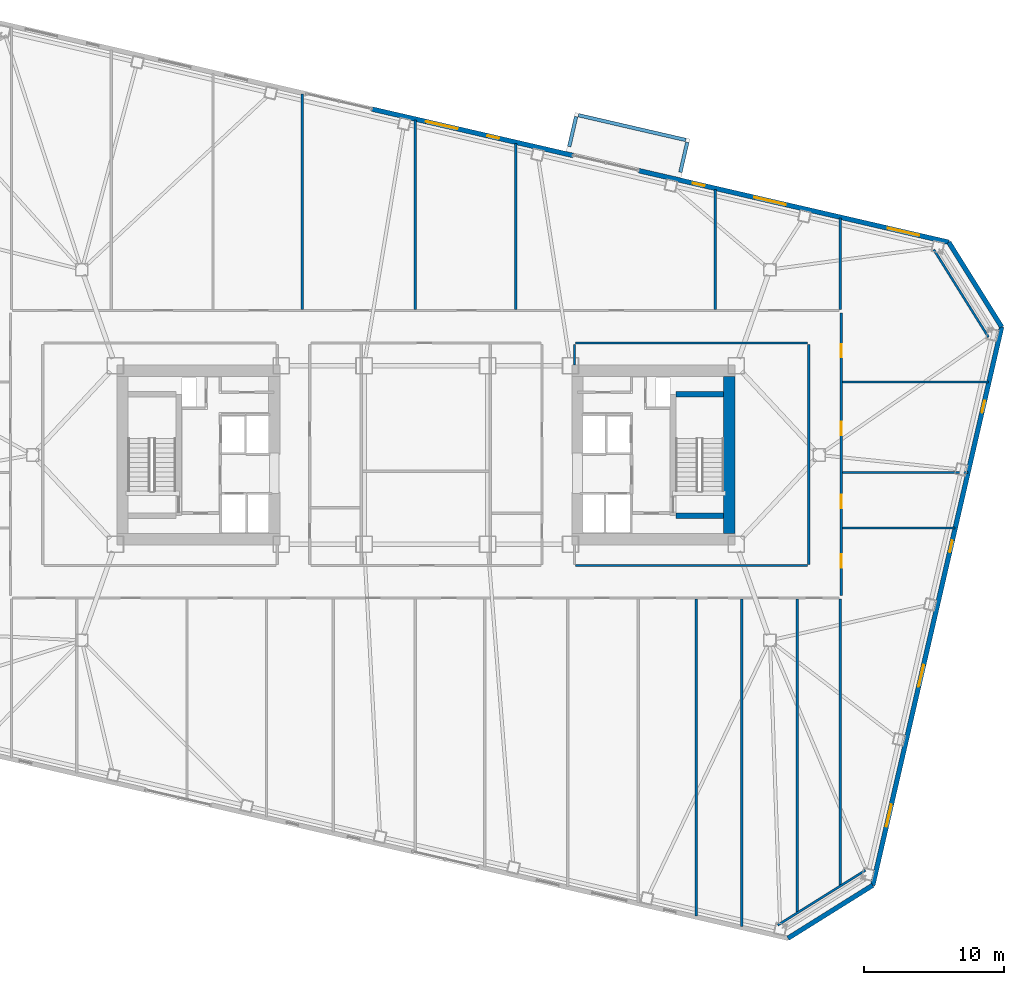
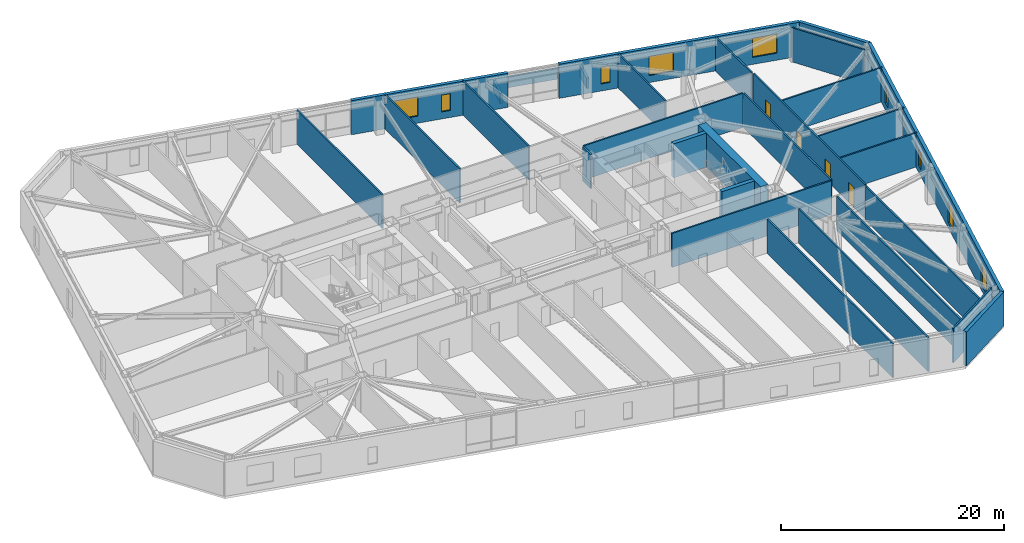
# One storey, part 13 of 19: 30 walls, 9 windows, 4 doors, 13 openings.
"""IFC4 building model written with IfcOpenShell, lengths in metres."""

from ifc_helpers import new_model, si_unit, direction, frame, frame_2d, origin, place, context, subcontext, project, spatial, rectangle, extrude, material, layer, layer_set, type_object, element, fill, save


model = new_model("IFC4")

# Units and contexts
model_context = context("Model", 3, precision=1e-05, world=origin(), true_north=direction((0.0, 1.0)))
body_context = subcontext(model_context, "Body", "Model", "MODEL_VIEW")
ifc_project = project(units=[si_unit("LENGTHUNIT", "METRE"), si_unit("AREAUNIT", "SQUARE_METRE"), si_unit("VOLUMEUNIT", "CUBIC_METRE"), si_unit("PLANEANGLEUNIT", "RADIAN"), si_unit("MASSUNIT", "GRAM", prefix="KILO")], contexts=[model_context])

# Site, building, storey
site_placement = place(None, origin())
site = spatial("IfcSite", under=ifc_project, at=site_placement, CompositionType="ELEMENT")
building_placement = place(site_placement, origin())
building = spatial("IfcBuilding", under=site, at=building_placement, Name="Tavrogorsk Clinical Tower", CompositionType="ELEMENT")
storey_placement = place(building_placement, frame((0.0, 0.0, 75.39990234375)))
storey = spatial("IfcBuildingStorey", under=building, at=storey_placement, Name="L16", CompositionType="ELEMENT", Elevation=75.39990234375)

# Walls
ifc_material_1 = material(Name="Lightweight concrete blockwork B15", Category="masonry")
ifc_layer_1 = layer(ifc_material_1, 0.159912109375)
ifc_layer_set_1 = layer_set([ifc_layer_1], Name="Lightweight concrete blockwork B15")
wall_type_1 = type_object("IfcWallType", Name="PartitionWall_160", PredefinedType="PARTITIONING", material=ifc_layer_set_1)
for number, where, z_axis, x_axis, name in (
    (1, (25.0595703125, -33.46826171875, 0.0), (0.0, 0.0, 1.0), (0.848043064089, 0.529927317139, 0.0), "L16 Corner Exoskeleton Brace Furring Wall 1"),
    (2, (40.059814453125, 8.389404296875, 0.0), (0.0, 0.0, 1.0), (-0.529927317139, 0.848043064089, 0.0), "L16 Corner Exoskeleton Brace Furring Wall 2"),
):
    element("IfcWall", number, at=place(storey_placement, frame(where, z_axis=z_axis, x_axis=x_axis)), inside=storey, type_object=wall_type_1, Name=name, PredefinedType="PARTITIONING", context=body_context, shape_type="SweptSolid", body=[
        extrude(rectangle(XDim=7.353759765625, YDim=0.159912109375, at=frame_2d((3.6767578125, 0.0))), origin(), (0.0, 0.0, 1.0), 3.739990234375),
    ])

# Wall, openings, doors
wall_1_placement = place(storey_placement, frame((29.580078125, 10.114990234375, 0.0), z_axis=(0.0, 0.0, 1.0), x_axis=(0.0, -1.0, 0.0)))
wall_1 = element("IfcWall", 3, at=wall_1_placement, inside=storey, type_object=wall_type_1, Name="L16 Corridor Partition 03", PredefinedType="PARTITIONING", context=body_context, shape_type="SweptSolid", body=[
    extrude(rectangle(XDim=20.1298828125, YDim=0.159912109375, at=frame_2d((10.06494140625, 0.0))), origin(), (0.0, 0.0, 1.0), 3.739990234375),
])
opening_1_placement = place(wall_1_placement, frame((17.180908203125, 0.0, 0.0)))
opening_1 = element("IfcOpeningElement", 4, at=opening_1_placement, cuts=wall_1, Name="Opening ID-02", PredefinedType="OPENING", context=body_context, shape_type="SweptSolid", body=[
    extrude(rectangle(XDim=0.949951171875, YDim=2.199951171875, at=frame_2d((0.47509765625, 1.10009765625))), frame((0.0, 0.08984375, 0.0), z_axis=(0.0, -1.0, 0.0), x_axis=(1.0, 0.0, 0.0)), (0.0, 0.0, 1.0), 0.179931640625),
])
opening_2_placement = place(wall_1_placement, frame((12.949951171875, 0.0, 0.0)))
opening_2 = element("IfcOpeningElement", 5, at=opening_2_placement, cuts=wall_1, Name="Opening ID-02", PredefinedType="OPENING", context=body_context, shape_type="SweptSolid", body=[
    extrude(rectangle(XDim=0.949951171875, YDim=2.199951171875, at=frame_2d((0.47509765625, 1.10009765625))), frame((0.0, 0.08984375, 0.0), z_axis=(0.0, -1.0, 0.0), x_axis=(1.0, 0.0, 0.0)), (0.0, 0.0, 1.0), 0.179931640625),
])
opening_3_placement = place(wall_1_placement, frame((7.75, 0.0, 0.0)))
opening_3 = element("IfcOpeningElement", 6, at=opening_3_placement, cuts=wall_1, Name="Opening ID-02", PredefinedType="OPENING", context=body_context, shape_type="SweptSolid", body=[
    extrude(rectangle(XDim=0.949951171875, YDim=2.199951171875, at=frame_2d((0.47509765625, 1.10009765625))), frame((0.0, 0.08984375, 0.0), z_axis=(0.0, -1.0, 0.0), x_axis=(1.0, 0.0, 0.0)), (0.0, 0.0, 1.0), 0.179931640625),
])
opening_4_placement = place(wall_1_placement, frame((2.218994140625, 0.0, 0.0)))
opening_4 = element("IfcOpeningElement", 7, at=opening_4_placement, cuts=wall_1, Name="Opening ID-02", PredefinedType="OPENING", context=body_context, shape_type="SweptSolid", body=[
    extrude(rectangle(XDim=0.949951171875, YDim=2.199951171875, at=frame_2d((0.47509765625, 1.10009765625))), frame((0.0, 0.08984375, 0.0), z_axis=(0.0, -1.0, 0.0), x_axis=(1.0, 0.0, 0.0)), (0.0, 0.0, 1.0), 0.179931640625),
])
ifc_material_2 = material(Name="Laminated timber leaf on aluminium frame", Category="wood")
door_type = type_object("IfcDoorType", Name="InteriorDoor_ID02_950", OperationType="NOTDEFINED", PredefinedType="DOOR", material=ifc_material_2)
door_1_placement = place(opening_1_placement, origin())
door_1 = element("IfcDoor", 8, at=door_1_placement, inside=storey, type_object=door_type, Name="L16 E Senior Clinician Suite 1 Door", OperationType="SINGLE_SWING_RIGHT", OverallHeight=2.199951171875, OverallWidth=0.949951171875, PredefinedType="DOOR", context=body_context, shape_type="SweptSolid", body=[
    extrude(rectangle(XDim=0.949951171875, YDim=2.199951171875, at=frame_2d((0.47509765625, 1.10009765625))), frame((0.0, 0.02490234375, 0.0), z_axis=(0.0, -1.0, 0.0), x_axis=(1.0, 0.0, 0.0)), (0.0, 0.0, 1.0), 0.050048828125),
])
fill(opening_1, door_1)
door_2_placement = place(opening_2_placement, origin())
door_2 = element("IfcDoor", 9, at=door_2_placement, inside=storey, type_object=door_type, Name="L16 E Multidisciplinary Seminar Suite 2 Door", OperationType="SINGLE_SWING_LEFT", OverallHeight=2.199951171875, OverallWidth=0.949951171875, PredefinedType="DOOR", context=body_context, shape_type="SweptSolid", body=[
    extrude(rectangle(XDim=0.949951171875, YDim=2.199951171875, at=frame_2d((0.47509765625, 1.10009765625))), frame((0.0, 0.02490234375, 0.0), z_axis=(0.0, -1.0, 0.0), x_axis=(1.0, 0.0, 0.0)), (0.0, 0.0, 1.0), 0.050048828125),
])
fill(opening_2, door_2)
door_3_placement = place(opening_3_placement, origin())
door_3 = element("IfcDoor", 10, at=door_3_placement, inside=storey, type_object=door_type, Name="L16 E Specialist Consultation Room 3 Door", OperationType="SINGLE_SWING_RIGHT", OverallHeight=2.199951171875, OverallWidth=0.949951171875, PredefinedType="DOOR", context=body_context, shape_type="SweptSolid", body=[
    extrude(rectangle(XDim=0.949951171875, YDim=2.199951171875, at=frame_2d((0.47509765625, 1.10009765625))), frame((0.0, 0.02490234375, 0.0), z_axis=(0.0, -1.0, 0.0), x_axis=(1.0, 0.0, 0.0)), (0.0, 0.0, 1.0), 0.050048828125),
])
fill(opening_3, door_3)
door_4_placement = place(opening_4_placement, origin())
door_4 = element("IfcDoor", 11, at=door_4_placement, inside=storey, type_object=door_type, Name="L16 E Clinical Fellows' Study 4 Door", OperationType="SINGLE_SWING_LEFT", OverallHeight=2.199951171875, OverallWidth=0.949951171875, PredefinedType="DOOR", context=body_context, shape_type="SweptSolid", body=[
    extrude(rectangle(XDim=0.949951171875, YDim=2.199951171875, at=frame_2d((0.47509765625, 1.10009765625))), frame((0.0, 0.02490234375, 0.0), z_axis=(0.0, -1.0, 0.0), x_axis=(1.0, 0.0, 0.0)), (0.0, 0.0, 1.0), 0.050048828125),
])
fill(opening_4, door_4)

# Walls
wall_2_placement = place(storey_placement, frame((27.18505859375, 7.969970703125, 0.0), z_axis=(0.0, 0.0, 1.0), x_axis=(-1.0, 0.0, 0.0)))
element("IfcWall", 12, at=wall_2_placement, inside=storey, type_object=wall_type_1, Name="L16 Corridor Partition 05", PredefinedType="PARTITIONING", context=body_context, shape_type="SweptSolid", body=[
    extrude(rectangle(XDim=16.52001953125, YDim=0.159912109375, at=frame_2d((8.260009765625, 0.0))), origin(), (0.0, 0.0, 1.0), 3.739990234375),
])
wall_3_placement = place(storey_placement, frame((10.580078125, 7.885009765625, 0.0), z_axis=(0.0, 0.0, 1.0), x_axis=(0.0, -1.0, 0.0)))
element("IfcWall", 13, at=wall_3_placement, inside=storey, type_object=wall_type_1, Name="L16 Corridor Partition 06", PredefinedType="PARTITIONING", context=body_context, shape_type="SweptSolid", body=[
    extrude(rectangle(XDim=1.465087890625, YDim=0.159912109375, at=frame_2d((0.732421875, 0.0))), origin(), (0.0, 0.0, 1.0), 3.739990234375),
])
wall_4_placement = place(storey_placement, frame((10.6650390625, -7.8701171875, 0.0), z_axis=(0.0, 0.0, 1.0), x_axis=(1.0, 0.0, 0.0)))
element("IfcWall", 14, at=wall_4_placement, inside=storey, type_object=wall_type_1, Name="L16 Corridor Partition 08", PredefinedType="PARTITIONING", context=body_context, shape_type="SweptSolid", body=[
    extrude(rectangle(XDim=16.52001953125, YDim=0.159912109375, at=frame_2d((8.260009765625, 0.0))), origin(), (0.0, 0.0, 1.0), 3.739990234375),
])
wall_5_placement = place(storey_placement, frame((27.27001953125, -7.784912109375, 0.0), z_axis=(0.0, 0.0, 1.0), x_axis=(0.0, 1.0, 0.0)))
element("IfcWall", 15, at=wall_5_placement, inside=storey, type_object=wall_type_1, Name="L16 Corridor Partition 09", PredefinedType="PARTITIONING", context=body_context, shape_type="SweptSolid", body=[
    extrude(rectangle(XDim=15.669921875, YDim=0.159912109375, at=frame_2d((7.8349609375, 0.0))), origin(), (0.0, 0.0, 1.0), 3.739990234375),
])
wall_6_placement = place(storey_placement, frame((29.5, 10.364990234375, 0.0), z_axis=(0.0, 0.0, 1.0), x_axis=(0.0, 1.0, 0.0)))
element("IfcWall", 16, at=wall_6_placement, inside=storey, type_object=wall_type_1, Name="L16 NE Wing Closure Partition", PredefinedType="PARTITIONING", context=body_context, shape_type="SweptSolid", body=[
    extrude(rectangle(XDim=6.497314453125, YDim=0.159912109375, at=frame_2d((3.24853515625, 0.0))), origin(), (0.0, 0.0, 1.0), 3.739990234375),
])
wall_7_placement = place(storey_placement, frame((29.5, -30.702880859375, 0.0), z_axis=(0.0, 0.0, 1.0), x_axis=(0.0, 1.0, 0.0)))
element("IfcWall", 17, at=wall_7_placement, inside=storey, type_object=wall_type_1, Name="L16 SE Wing Closure Partition", PredefinedType="PARTITIONING", context=body_context, shape_type="SweptSolid", body=[
    extrude(rectangle(XDim=20.43798828125, YDim=0.159912109375, at=frame_2d((10.218994140625, 0.0))), origin(), (0.0, 0.0, 1.0), 3.739990234375),
])
wall_8_placement = place(storey_placement, frame((-8.800048828125, 10.364990234375, 0.0), z_axis=(0.0, 0.0, 1.0), x_axis=(0.0, 1.0, 0.0)))
element("IfcWall", 18, at=wall_8_placement, inside=storey, type_object=wall_type_1, Name="L16 North Room Partition 2", PredefinedType="PARTITIONING", context=body_context, shape_type="SweptSolid", body=[
    extrude(rectangle(XDim=15.339599609375, YDim=0.159912109375, at=frame_2d((7.669921875, 0.0))), origin(), (0.0, 0.0, 1.0), 3.739990234375),
])
wall_9_placement = place(storey_placement, frame((6.39990234375, 10.364990234375, 0.0), z_axis=(0.0, 0.0, 1.0), x_axis=(0.0, 1.0, 0.0)))
element("IfcWall", 19, at=wall_9_placement, inside=storey, type_object=wall_type_1, Name="L16 North Room Partition 3", PredefinedType="PARTITIONING", context=body_context, shape_type="SweptSolid", body=[
    extrude(rectangle(XDim=11.830322265625, YDim=0.159912109375, at=frame_2d((5.9150390625, 0.0))), origin(), (0.0, 0.0, 1.0), 3.739990234375),
])
wall_10_placement = place(storey_placement, frame((20.60009765625, 10.364990234375, 0.0), z_axis=(0.0, 0.0, 1.0), x_axis=(0.0, 1.0, 0.0)))
element("IfcWall", 20, at=wall_10_placement, inside=storey, type_object=wall_type_1, Name="L16 North Room Partition 4", PredefinedType="PARTITIONING", context=body_context, shape_type="SweptSolid", body=[
    extrude(rectangle(XDim=8.552001953125, YDim=0.159912109375, at=frame_2d((4.27587890625, 0.0))), origin(), (0.0, 0.0, 1.0), 3.739990234375),
])
wall_11_placement = place(storey_placement, frame((-0.75, 10.364990234375, 0.0), z_axis=(0.0, 0.0, 1.0), x_axis=(0.0, 1.0, 0.0)))
element("IfcWall", 21, at=wall_11_placement, inside=storey, type_object=wall_type_1, Name="L16 North Sub-Partition 3", PredefinedType="PARTITIONING", context=body_context, shape_type="SweptSolid", body=[
    extrude(rectangle(XDim=13.481201171875, YDim=0.159912109375, at=frame_2d((6.74072265625, 0.0))), origin(), (0.0, 0.0, 1.0), 3.739990234375),
])
wall_12_placement = place(storey_placement, frame((22.5, -33.57568359375, 0.0), z_axis=(0.0, 0.0, 1.0), x_axis=(0.0, 1.0, 0.0)))
element("IfcWall", 22, at=wall_12_placement, inside=storey, type_object=wall_type_1, Name="L16 South Room Partition 6", PredefinedType="PARTITIONING", context=body_context, shape_type="SweptSolid", body=[
    extrude(rectangle(XDim=23.310791015625, YDim=0.159912109375, at=frame_2d((11.6552734375, 0.0))), origin(), (0.0, 0.0, 1.0), 3.739990234375),
])
wall_13_placement = place(storey_placement, frame((19.260009765625, -32.82763671875, 0.0), z_axis=(0.0, 0.0, 1.0), x_axis=(0.0, 1.0, 0.0)))
element("IfcWall", 23, at=wall_13_placement, inside=storey, type_object=wall_type_1, Name="L16 South Sub-Partition 6", PredefinedType="PARTITIONING", context=body_context, shape_type="SweptSolid", body=[
    extrude(rectangle(XDim=22.562744140625, YDim=0.159912109375, at=frame_2d((11.28125, 0.0))), origin(), (0.0, 0.0, 1.0), 3.739990234375),
])
wall_14_placement = place(storey_placement, frame((26.449951171875, -32.608642578125, 0.0), z_axis=(0.0, 0.0, 1.0), x_axis=(0.0, 1.0, 0.0)))
element("IfcWall", 24, at=wall_14_placement, inside=storey, type_object=wall_type_1, Name="L16 South Sub-Partition 7", PredefinedType="PARTITIONING", context=body_context, shape_type="SweptSolid", body=[
    extrude(rectangle(XDim=22.34375, YDim=0.159912109375, at=frame_2d((11.171875, 0.0))), origin(), (0.0, 0.0, 1.0), 3.739990234375),
])
wall_15_placement = place(storey_placement, frame((29.6650390625, -5.199951171875, 0.0), z_axis=(0.0, 0.0, 1.0), x_axis=(1.0, 0.0, 0.0)))
element("IfcWall", 25, at=wall_15_placement, inside=storey, type_object=wall_type_1, Name="L16 E Wing Divider 1", PredefinedType="PARTITIONING", context=body_context, shape_type="SweptSolid", body=[
    extrude(rectangle(XDim=8.007080078125, YDim=0.159912109375, at=frame_2d((4.00341796875, 0.0))), origin(), (0.0, 0.0, 1.0), 3.739990234375),
])
wall_16_placement = place(storey_placement, frame((29.6650390625, -1.25, 0.0), z_axis=(0.0, 0.0, 1.0), x_axis=(1.0, 0.0, 0.0)))
element("IfcWall", 26, at=wall_16_placement, inside=storey, type_object=wall_type_1, Name="L16 E Wing Divider 2", PredefinedType="PARTITIONING", context=body_context, shape_type="SweptSolid", body=[
    extrude(rectangle(XDim=8.9189453125, YDim=0.159912109375, at=frame_2d((4.45947265625, 0.0))), origin(), (0.0, 0.0, 1.0), 3.739990234375),
])
wall_17_placement = place(storey_placement, frame((29.6650390625, 5.199951171875, 0.0), z_axis=(0.0, 0.0, 1.0), x_axis=(1.0, 0.0, 0.0)))
element("IfcWall", 27, at=wall_17_placement, inside=storey, type_object=wall_type_1, Name="L16 E Wing Divider 3", PredefinedType="PARTITIONING", context=body_context, shape_type="SweptSolid", body=[
    extrude(rectangle(XDim=10.408203125, YDim=0.159912109375, at=frame_2d((5.2041015625, 0.0))), origin(), (0.0, 0.0, 1.0), 3.739990234375),
])

# Wall, openings, windows
ifc_material_3 = material(Name="Precast concrete B45 with limestone cladding", Category="masonry")
ifc_layer_2 = layer(ifc_material_3, 0.340087890625)
ifc_layer_set_2 = layer_set([ifc_layer_2], Name="Precast concrete B45 with limestone cladding")
wall_type_2 = type_object("IfcWallType", Name="PrecastLimestoneWall_340", PredefinedType="STANDARD", material=ifc_layer_set_2)
wall_18_placement = place(storey_placement, frame((37.228515625, 15.14990234375, 0.0), z_axis=(0.0, 0.0, 1.0), x_axis=(-0.97436993772, 0.224951604723, 0.0)))
wall_18 = element("IfcWall", 28, at=wall_18_placement, inside=storey, type_object=wall_type_2, Name="L16 N Limestone Facade Wall 1", PredefinedType="STANDARD", context=body_context, shape_type="SweptSolid", body=[
    extrude(rectangle(XDim=22.6513671875, YDim=0.340087890625, at=frame_2d((11.32568359375, 0.0))), origin(), (0.0, 0.0, 1.0), 3.739990234375),
])
opening_5_placement = place(wall_18_placement, frame((17.844970703125, 0.0, 0.77001953125)))
opening_5 = element("IfcOpeningElement", 29, at=opening_5_placement, cuts=wall_18, Name="Opening WN-06", PredefinedType="OPENING", context=body_context, shape_type="SweptSolid", body=[
    extrude(rectangle(XDim=0.85009765625, YDim=1.85009765625, at=frame_2d((0.425048828125, 0.925048828125))), frame((0.0, 0.179931640625, 0.0), z_axis=(0.0, -1.0, 0.0), x_axis=(1.0, 0.0, 0.0)), (0.0, 0.0, 1.0), 0.360107421875),
])
opening_6_placement = place(wall_18_placement, frame((11.91064453125, 0.0, 0.77001953125)))
opening_6 = element("IfcOpeningElement", 30, at=opening_6_placement, cuts=wall_18, Name="Opening WN-12", PredefinedType="OPENING", context=body_context, shape_type="SweptSolid", body=[
    extrude(rectangle(XDim=2.300048828125, YDim=2.10009765625, at=frame_2d((1.14990234375, 1.050048828125))), frame((0.0, 0.179931640625, 0.0), z_axis=(0.0, -1.0, 0.0), x_axis=(1.0, 0.0, 0.0)), (0.0, 0.0, 1.0), 0.360107421875),
])
opening_7_placement = place(wall_18_placement, frame((2.162109375, 0.0, 0.77001953125)))
opening_7 = element("IfcOpeningElement", 31, at=opening_7_placement, cuts=wall_18, Name="Opening WN-12", PredefinedType="OPENING", context=body_context, shape_type="SweptSolid", body=[
    extrude(rectangle(XDim=2.300048828125, YDim=2.10009765625, at=frame_2d((1.14990234375, 1.050048828125))), frame((0.0, 0.179931640625, 0.0), z_axis=(0.0, -1.0, 0.0), x_axis=(1.0, 0.0, 0.0)), (0.0, 0.0, 1.0), 0.360107421875),
])
ifc_material_4 = material(Name="Thermally broken aluminium frame and triple IGU", Category="aluminium")
window_type_1 = type_object("IfcWindowType", Name="MullionSubWin_850x1850", PartitioningType="SINGLE_PANEL", PredefinedType="WINDOW", material=ifc_material_4)
window_1_placement = place(opening_5_placement, origin())
window_1 = element("IfcWindow", 32, at=window_1_placement, inside=storey, type_object=window_type_1, Name="L16 N Mullion Split Window 07B", OverallHeight=1.85009765625, OverallWidth=0.85009765625, PartitioningType="SINGLE_PANEL", PredefinedType="WINDOW", context=body_context, shape_type="SweptSolid", body=[
    extrude(rectangle(XDim=0.85009765625, YDim=1.85009765625, at=frame_2d((0.425048828125, 0.925048828125))), frame((0.0, 0.030029296875, 0.0), z_axis=(0.0, -1.0, 0.0), x_axis=(1.0, 0.0, 0.0)), (0.0, 0.0, 1.0), 0.06005859375),
])
fill(opening_5, window_1)
ifc_material_5 = material(Name="Thermally broken aluminium frame and triple IGU", Category="aluminium")
window_type_2 = type_object("IfcWindowType", Name="RecoveryWin_2300x2100", PartitioningType="DOUBLE_PANEL_VERTICAL", PredefinedType="WINDOW", material=ifc_material_5)
window_2_placement = place(opening_6_placement, origin())
window_2 = element("IfcWindow", 33, at=window_2_placement, inside=storey, type_object=window_type_2, Name="L16 N Chicago Window 08", OverallHeight=2.10009765625, OverallWidth=2.300048828125, PartitioningType="SINGLE_PANEL", PredefinedType="WINDOW", context=body_context, shape_type="SweptSolid", body=[
    extrude(rectangle(XDim=2.300048828125, YDim=2.10009765625, at=frame_2d((1.14990234375, 1.050048828125))), frame((0.0, 0.030029296875, 0.0), z_axis=(0.0, -1.0, 0.0), x_axis=(1.0, 0.0, 0.0)), (0.0, 0.0, 1.0), 0.06005859375),
])
fill(opening_6, window_2)
window_3_placement = place(opening_7_placement, origin())
window_3 = element("IfcWindow", 34, at=window_3_placement, inside=storey, type_object=window_type_2, Name="L16 N Chicago Window 10", OverallHeight=2.10009765625, OverallWidth=2.300048828125, PartitioningType="SINGLE_PANEL", PredefinedType="WINDOW", context=body_context, shape_type="SweptSolid", body=[
    extrude(rectangle(XDim=2.300048828125, YDim=2.10009765625, at=frame_2d((1.14990234375, 1.050048828125))), frame((0.0, 0.030029296875, 0.0), z_axis=(0.0, -1.0, 0.0), x_axis=(1.0, 0.0, 0.0)), (0.0, 0.0, 1.0), 0.06005859375),
])
fill(opening_7, window_3)

wall_19_placement = place(storey_placement, frame((10.480712890625, 21.3251953125, 0.0), z_axis=(0.0, 0.0, 1.0), x_axis=(-0.974369353393, 0.2249541357, 0.0)))
wall_19 = element("IfcWall", 35, at=wall_19_placement, inside=storey, type_object=wall_type_2, Name="L16 N Limestone Facade Wall 2", PredefinedType="STANDARD", context=body_context, shape_type="SweptSolid", body=[
    extrude(rectangle(XDim=14.697021484375, YDim=0.340087890625, at=frame_2d((7.3486328125, 0.0))), origin(), (0.0, 0.0, 1.0), 3.739990234375),
])
opening_8_placement = place(wall_19_placement, frame((8.44091796875, 0.0, 0.77001953125)))
opening_8 = element("IfcOpeningElement", 36, at=opening_8_placement, cuts=wall_19, Name="Opening WN-12", PredefinedType="OPENING", context=body_context, shape_type="SweptSolid", body=[
    extrude(rectangle(XDim=2.300048828125, YDim=2.10009765625, at=frame_2d((1.14990234375, 1.050048828125))), frame((0.0, 0.179931640625, 0.0), z_axis=(0.0, -1.0, 0.0), x_axis=(1.0, 0.0, 0.0)), (0.0, 0.0, 1.0), 0.360107421875),
])
opening_9_placement = place(wall_19_placement, frame((5.406494140625, 0.0, 0.77001953125)))
opening_9 = element("IfcOpeningElement", 37, at=opening_9_placement, cuts=wall_19, Name="Opening WN-06", PredefinedType="OPENING", context=body_context, shape_type="SweptSolid", body=[
    extrude(rectangle(XDim=0.85009765625, YDim=1.85009765625, at=frame_2d((0.425048828125, 0.925048828125))), frame((0.0, 0.179931640625, 0.0), z_axis=(0.0, -1.0, 0.0), x_axis=(1.0, 0.0, 0.0)), (0.0, 0.0, 1.0), 0.360107421875),
])
window_4_placement = place(opening_9_placement, origin())
window_4 = element("IfcWindow", 38, at=window_4_placement, inside=storey, type_object=window_type_1, Name="L16 N Mullion Split Window 06B", OverallHeight=1.85009765625, OverallWidth=0.85009765625, PartitioningType="SINGLE_PANEL", PredefinedType="WINDOW", context=body_context, shape_type="SweptSolid", body=[
    extrude(rectangle(XDim=0.85009765625, YDim=1.85009765625, at=frame_2d((0.425048828125, 0.925048828125))), frame((0.0, 0.030029296875, 0.0), z_axis=(0.0, -1.0, 0.0), x_axis=(1.0, 0.0, 0.0)), (0.0, 0.0, 1.0), 0.06005859375),
])
fill(opening_9, window_4)
window_5_placement = place(opening_8_placement, origin())
window_5 = element("IfcWindow", 39, at=window_5_placement, inside=storey, type_object=window_type_2, Name="L16 N Chicago Window 05", OverallHeight=2.10009765625, OverallWidth=2.300048828125, PartitioningType="SINGLE_PANEL", PredefinedType="WINDOW", context=body_context, shape_type="SweptSolid", body=[
    extrude(rectangle(XDim=2.300048828125, YDim=2.10009765625, at=frame_2d((1.14990234375, 1.050048828125))), frame((0.0, 0.030029296875, 0.0), z_axis=(0.0, -1.0, 0.0), x_axis=(1.0, 0.0, 0.0)), (0.0, 0.0, 1.0), 0.06005859375),
])
fill(opening_8, window_5)

wall_20_placement = place(storey_placement, frame((31.820068359375, -30.636962890625, 0.0), z_axis=(0.0, 0.0, 1.0), x_axis=(0.224949969076, 0.974370315338, 0.0)))
wall_20 = element("IfcWall", 40, at=wall_20_placement, inside=storey, type_object=wall_type_2, Name="L16 E Pleated Limestone Wing Wall", PredefinedType="STANDARD", context=body_context, shape_type="SweptSolid", body=[
    extrude(rectangle(XDim=40.800048828125, YDim=0.340087890625, at=frame_2d((20.39990234375, 0.0))), origin(), (0.0, 0.0, 1.0), 3.739990234375),
])
opening_10_placement = place(wall_20_placement, frame((4.300048828125, 0.0, 0.580078125)))
opening_10 = element("IfcOpeningElement", 41, at=opening_10_placement, cuts=wall_20, Name="Opening WN-07", PredefinedType="OPENING", context=body_context, shape_type="SweptSolid", body=[
    extrude(rectangle(XDim=1.60009765625, YDim=2.300048828125, at=frame_2d((0.800048828125, 1.14990234375))), frame((0.0, 0.179931640625, 0.0), z_axis=(0.0, -1.0, 0.0), x_axis=(1.0, 0.0, 0.0)), (0.0, 0.0, 1.0), 0.360107421875),
])
opening_11_placement = place(wall_20_placement, frame((14.5, 0.0, 0.580078125)))
opening_11 = element("IfcOpeningElement", 42, at=opening_11_placement, cuts=wall_20, Name="Opening WN-07", PredefinedType="OPENING", context=body_context, shape_type="SweptSolid", body=[
    extrude(rectangle(XDim=1.60009765625, YDim=2.300048828125, at=frame_2d((0.800048828125, 1.14990234375))), frame((0.0, 0.179931640625, 0.0), z_axis=(0.0, -1.0, 0.0), x_axis=(1.0, 0.0, 0.0)), (0.0, 0.0, 1.0), 0.360107421875),
])
opening_12_placement = place(wall_20_placement, frame((24.35009765625, 0.0, 0.75)))
opening_12 = element("IfcOpeningElement", 43, at=opening_12_placement, cuts=wall_20, Name="Opening WN-06", PredefinedType="OPENING", context=body_context, shape_type="SweptSolid", body=[
    extrude(rectangle(XDim=0.85009765625, YDim=1.85009765625, at=frame_2d((0.425048828125, 0.925048828125))), frame((0.0, 0.179931640625, 0.0), z_axis=(0.0, -1.0, 0.0), x_axis=(1.0, 0.0, 0.0)), (0.0, 0.0, 1.0), 0.360107421875),
])
opening_13_placement = place(wall_20_placement, frame((34.550048828125, 0.0, 0.75)))
opening_13 = element("IfcOpeningElement", 44, at=opening_13_placement, cuts=wall_20, Name="Opening WN-06", PredefinedType="OPENING", context=body_context, shape_type="SweptSolid", body=[
    extrude(rectangle(XDim=0.85009765625, YDim=1.85009765625, at=frame_2d((0.425048828125, 0.925048828125))), frame((0.0, 0.179931640625, 0.0), z_axis=(0.0, -1.0, 0.0), x_axis=(1.0, 0.0, 0.0)), (0.0, 0.0, 1.0), 0.360107421875),
])
window_6_placement = place(opening_12_placement, origin())
window_6 = element("IfcWindow", 45, at=window_6_placement, inside=storey, type_object=window_type_1, Name="L16 E Pleat Mullion Window 3A", OverallHeight=1.85009765625, OverallWidth=0.85009765625, PartitioningType="SINGLE_PANEL", PredefinedType="WINDOW", context=body_context, shape_type="SweptSolid", body=[
    extrude(rectangle(XDim=0.85009765625, YDim=1.85009765625, at=frame_2d((0.425048828125, 0.925048828125))), frame((0.0, 0.030029296875, 0.0), z_axis=(0.0, -1.0, 0.0), x_axis=(1.0, 0.0, 0.0)), (0.0, 0.0, 1.0), 0.06005859375),
])
fill(opening_12, window_6)
window_7_placement = place(opening_13_placement, origin())
window_7 = element("IfcWindow", 46, at=window_7_placement, inside=storey, type_object=window_type_1, Name="L16 E Pleat Mullion Window 4A", OverallHeight=1.85009765625, OverallWidth=0.85009765625, PartitioningType="SINGLE_PANEL", PredefinedType="WINDOW", context=body_context, shape_type="SweptSolid", body=[
    extrude(rectangle(XDim=0.85009765625, YDim=1.85009765625, at=frame_2d((0.425048828125, 0.925048828125))), frame((0.0, 0.030029296875, 0.0), z_axis=(0.0, -1.0, 0.0), x_axis=(1.0, 0.0, 0.0)), (0.0, 0.0, 1.0), 0.06005859375),
])
fill(opening_13, window_7)
ifc_material_6 = material(Name="Thermally broken aluminium frame and triple IGU", Category="aluminium")
window_type_3 = type_object("IfcWindowType", Name="PleatSlotWin_1600x2300", PartitioningType="SINGLE_PANEL", PredefinedType="WINDOW", material=ifc_material_6)
window_8_placement = place(opening_10_placement, origin())
window_8 = element("IfcWindow", 47, at=window_8_placement, inside=storey, type_object=window_type_3, Name="L16 E Pleat Slot Window 1", OverallHeight=2.300048828125, OverallWidth=1.60009765625, PartitioningType="SINGLE_PANEL", PredefinedType="WINDOW", context=body_context, shape_type="SweptSolid", body=[
    extrude(rectangle(XDim=1.60009765625, YDim=2.300048828125, at=frame_2d((0.800048828125, 1.14990234375))), frame((0.0, 0.030029296875, 0.0), z_axis=(0.0, -1.0, 0.0), x_axis=(1.0, 0.0, 0.0)), (0.0, 0.0, 1.0), 0.06005859375),
])
fill(opening_10, window_8)
window_9_placement = place(opening_11_placement, origin())
window_9 = element("IfcWindow", 48, at=window_9_placement, inside=storey, type_object=window_type_3, Name="L16 E Pleat Slot Window 2", OverallHeight=2.300048828125, OverallWidth=1.60009765625, PartitioningType="SINGLE_PANEL", PredefinedType="WINDOW", context=body_context, shape_type="SweptSolid", body=[
    extrude(rectangle(XDim=1.60009765625, YDim=2.300048828125, at=frame_2d((0.800048828125, 1.14990234375))), frame((0.0, 0.030029296875, 0.0), z_axis=(0.0, -1.0, 0.0), x_axis=(1.0, 0.0, 0.0)), (0.0, 0.0, 1.0), 0.06005859375),
])
fill(opening_11, window_9)

# Walls
for number, where, z_axis, x_axis, name in (
    (49, (25.78759765625, -34.406494140625, 0.0), (0.0, 0.0, 1.0), (0.848046504656, 0.529921811158, 0.0), "L16 Chamfered Corner Wall 1"),
    (50, (40.998046875, 9.117431640625, 0.0), (0.0, 0.0, 1.0), (-0.529921811158, 0.848046504656, 0.0), "L16 Chamfered Corner Wall 2"),
):
    element("IfcWall", number, at=place(storey_placement, frame(where, z_axis=z_axis, x_axis=x_axis)), inside=storey, type_object=wall_type_2, Name=name, PredefinedType="STANDARD", context=body_context, shape_type="SweptSolid", body=[
        extrude(rectangle(XDim=7.11328125, YDim=0.340087890625, at=frame_2d((3.556640625, 0.0))), origin(), (0.0, 0.0, 1.0), 3.739990234375),
    ])
ifc_material_7 = material(Name="Concrete B60", Category="concrete")
ifc_layer_3 = layer(ifc_material_7, 0.25)
ifc_layer_set_3 = layer_set([ifc_layer_3], Name="Concrete B60")
wall_type_3 = type_object("IfcWallType", Name="RoofParapetWall_250", PredefinedType="PARAPET", material=ifc_layer_set_3)
wall_21_placement = place(storey_placement, frame((10.20849609375, 21.962646484375, 0.0), z_axis=(0.0, 0.0, 1.0), x_axis=(0.224974004698, 0.974364765994, 0.0)))
element("IfcWall", 51, at=wall_21_placement, inside=storey, type_object=wall_type_3, Name="L16 Day-Room Roof Coping Parapet DRB-02-1", PredefinedType="PARAPET", context=body_context, shape_type="SweptSolid", body=[
    extrude(rectangle(XDim=2.18017578125, YDim=0.25, at=frame_2d((1.090087890625, 0.0))), origin(), (0.0, 0.0, 1.0), 1.150146484375),
])
wall_22_placement = place(storey_placement, frame((10.866943359375, 24.19189453125, 0.0), z_axis=(0.0, 0.0, 1.0), x_axis=(0.974362322181, -0.224984588615, 0.0)))
element("IfcWall", 52, at=wall_22_placement, inside=storey, type_object=wall_type_3, Name="L16 Day-Room Roof Coping Parapet DRB-02-2", PredefinedType="PARAPET", context=body_context, shape_type="SweptSolid", body=[
    extrude(rectangle(XDim=7.840087890625, YDim=0.25, at=frame_2d((3.919921875, 0.0))), origin(), (0.0, 0.0, 1.0), 1.150146484375),
])
wall_23_placement = place(storey_placement, frame((18.61083984375, 22.26025390625, 0.0), z_axis=(0.0, 0.0, 1.0), x_axis=(-0.224867685436, -0.974389308258, 0.0)))
element("IfcWall", 53, at=wall_23_placement, inside=storey, type_object=wall_type_3, Name="L16 Day-Room Roof Coping Parapet DRB-02-3", PredefinedType="PARAPET", context=body_context, shape_type="SweptSolid", body=[
    extrude(rectangle(XDim=2.18017578125, YDim=0.25, at=frame_2d((1.090087890625, 0.0))), origin(), (0.0, 0.0, 1.0), 1.150146484375),
])
ifc_material_8 = material(Name="Concrete B80", Category="concrete")
ifc_layer_4 = layer(ifc_material_8, 0.39990234375)
ifc_layer_set_4 = layer_set([ifc_layer_4], Name="Concrete B80")
wall_type_4 = type_object("IfcWallType", Name="ShearWall_400", PredefinedType="SHEAR", material=ifc_layer_set_4)
for number, where, z_axis, x_axis, name in (
    (54, (17.800048828125, -4.324951171875, 0.0), (0.0, 0.0, 1.0), (1.0, 0.0, 0.0), "L16 Core East Stair Shaft South Shear Wall"),
    (55, (17.800048828125, 4.324951171875, 0.0), (0.0, 0.0, 1.0), (1.0, 0.0, 0.0), "L16 Core East Stair Shaft North Shear Wall"),
):
    element("IfcWall", number, at=place(storey_placement, frame(where, z_axis=z_axis, x_axis=x_axis)), inside=storey, type_object=wall_type_4, Name=name, PredefinedType="SHEAR", context=body_context, shape_type="SweptSolid", body=[
        extrude(rectangle(XDim=3.39990234375, YDim=0.39990234375, at=frame_2d((1.699951171875, 0.0))), origin(), (0.0, 0.0, 1.0), 3.739990234375),
    ])
ifc_material_9 = material(Name="Concrete B80", Category="concrete")
ifc_layer_5 = layer(ifc_material_9, 0.800048828125)
ifc_layer_set_5 = layer_set([ifc_layer_5], Name="Concrete B80")
wall_type_5 = type_object("IfcWallType", Name="ShearWall_800", PredefinedType="SHEAR", material=ifc_layer_set_5)
wall_24_placement = place(storey_placement, frame((21.60009765625, -5.60009765625, 0.0), z_axis=(0.0, 0.0, 1.0), x_axis=(0.0, 1.0, 0.0)))
element("IfcWall", 56, at=wall_24_placement, inside=storey, type_object=wall_type_5, Name="L16 Core East End Shear Wall", PredefinedType="SHEAR", context=body_context, shape_type="SweptSolid", body=[
    extrude(rectangle(XDim=11.2001953125, YDim=0.800048828125, at=frame_2d((5.60009765625, 0.0))), origin(), (0.0, 0.0, 1.0), 3.739990234375),
])

save(model, "model.ifc")
